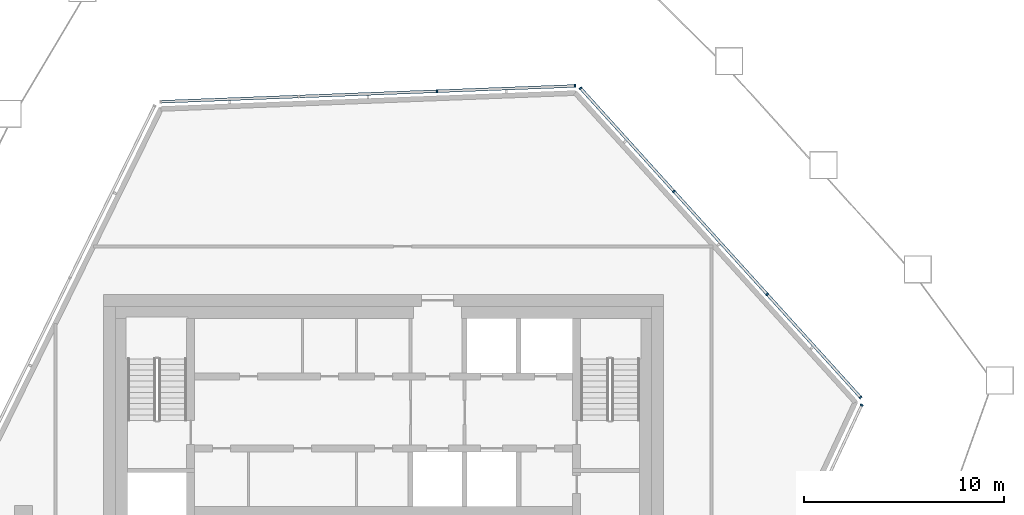
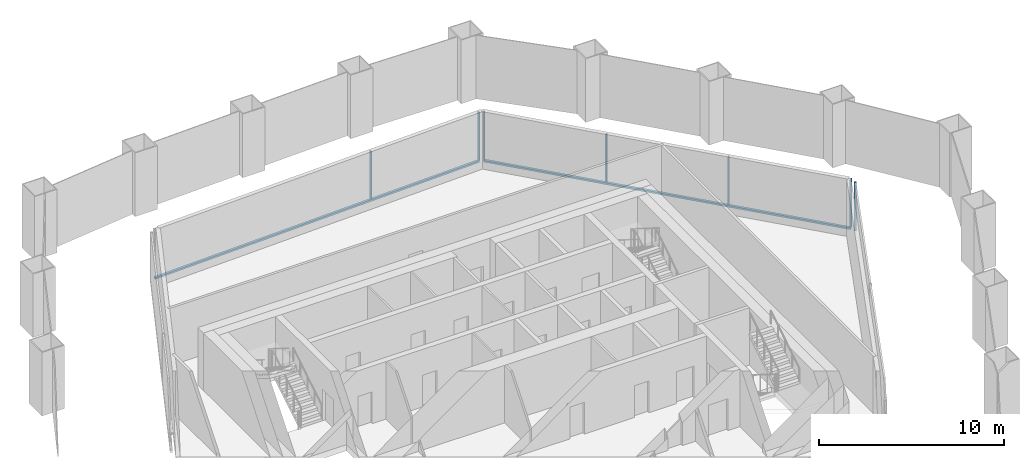
# One storey, part 6 of 18: 9 members, 3 elements without a shape of their own.
"""IFC4 building model written with IfcOpenShell, lengths in metres."""

from ifc_helpers import new_model, si_unit, direction, frame, origin, origin_2d, place, context, subcontext, project, spatial, rectangle, extrude, material, layer, layer_set, material_profile, profile_set, type_object, element, aggregate, save


model = new_model("IFC4")

# Units and contexts
model_context = context("Model", 3, precision=1e-05, world=origin(), true_north=direction((0.0, 1.0)))
body_context = subcontext(model_context, "Body", "Model", "MODEL_VIEW")
ifc_project = project(units=[si_unit("LENGTHUNIT", "METRE"), si_unit("AREAUNIT", "SQUARE_METRE"), si_unit("VOLUMEUNIT", "CUBIC_METRE"), si_unit("PLANEANGLEUNIT", "RADIAN"), si_unit("MASSUNIT", "GRAM", prefix="KILO")], contexts=[model_context])

# Site, building, storey
site_placement = place(None, origin())
site = spatial("IfcSite", under=ifc_project, at=site_placement, CompositionType="ELEMENT")
building_placement = place(site_placement, origin())
building = spatial("IfcBuilding", under=site, at=building_placement, Name="Dongbaek Canopy Tower", CompositionType="ELEMENT")
storey_placement = place(building_placement, frame((0.0, 0.0, 367.39990234375)))
storey = spatial("IfcBuildingStorey", under=building, at=storey_placement, Name="L79", CompositionType="ELEMENT", Elevation=367.39990234375)

# Curtain wall, member
ifc_material_1 = material(Name="Aluminium 6063-T6 pale anodised", Category="aluminium")
ifc_layer = layer(ifc_material_1, 0.14990234375)
ifc_layer_set = layer_set([ifc_layer], Name="CW-7 louvre curtain wall")
curtain_wall_type = type_object("IfcCurtainWallType", Name="CW-7 louvre curtain wall", PredefinedType="NOTDEFINED", material=ifc_layer_set)
curtain_wall_1_placement = place(storey_placement, origin())
curtain_wall_1 = element("IfcCurtainWall", 1, at=curtain_wall_1_placement, inside=storey, type_object=curtain_wall_type, Name="CW-7 louvre wall L79 F1", PredefinedType="NOTDEFINED")
ifc_material_2 = material(Name="Aluminium 6063-T6 pale anodised", Category="aluminium")
ifc_material_profile_1 = material_profile(ifc_material_2, rectangle(XDim=0.14990234375, YDim=0.080078125, at=origin_2d()), Name="CW-7 mullion 80 x 150")
ifc_profile_set_1 = profile_set([ifc_material_profile_1], Name="Aluminium 6063-T6 pale anodised")
member_type_1 = type_object("IfcMemberType", Name="CW-7 mullion 80 x 150", PredefinedType="MULLION", material=ifc_profile_set_1)
member_1_placement = place(storey_placement, frame((23.899658203125, 5.46533203125, 0.300048828125), z_axis=(0.0, 0.0, 1.0), x_axis=(0.905604659029, -0.42412286138, 0.0)))
member_1 = element("IfcMember", 2, at=member_1_placement, type_object=member_type_1, Name="CW-7 mullion L79 F1.1.4", PredefinedType="MULLION", context=body_context, shape_type="SweptSolid", body=[
    extrude(rectangle(XDim=0.14990234375, YDim=0.080078125, at=origin_2d()), origin(), (0.0, 0.0, 1.0), 3.199951171875),
])
aggregate(curtain_wall_1, [member_1])

# Curtain wall, members
curtain_wall_2_placement = place(storey_placement, origin())
curtain_wall_2 = element("IfcCurtainWall", 3, at=curtain_wall_2_placement, inside=storey, type_object=curtain_wall_type, Name="CW-7 louvre wall L79 F2", PredefinedType="NOTDEFINED")
member_2_placement = place(storey_placement, frame((23.84228515625, 5.848876953125, 0.300048828125), z_axis=(0.0, 0.0, 1.0), x_axis=(0.741222228581, 0.671259717142, 0.0)))
member_2 = element("IfcMember", 4, at=member_2_placement, type_object=member_type_1, Name="CW-7 mullion L79 F2.1.1", PredefinedType="MULLION", context=body_context, shape_type="SweptSolid", body=[
    extrude(rectangle(XDim=0.14990234375, YDim=0.080078125, at=origin_2d()), origin(), (0.0, 0.0, 1.0), 3.199951171875),
])
member_3_placement = place(storey_placement, frame((19.17578125, 11.001708984375, 0.300048828125), z_axis=(0.0, 0.0, 1.0), x_axis=(0.741222228581, 0.671259717142, 0.0)))
member_3 = element("IfcMember", 5, at=member_3_placement, type_object=member_type_1, Name="CW-7 mullion L79 F2.1.2", PredefinedType="MULLION", context=body_context, shape_type="SweptSolid", body=[
    extrude(rectangle(XDim=0.14990234375, YDim=0.080078125, at=origin_2d()), origin(), (0.0, 0.0, 1.0), 3.199951171875),
])
member_4_placement = place(storey_placement, frame((14.509033203125, 16.154541015625, 0.300048828125), z_axis=(0.0, 0.0, 1.0), x_axis=(0.741222228581, 0.671259717142, 0.0)))
member_4 = element("IfcMember", 6, at=member_4_placement, type_object=member_type_1, Name="CW-7 mullion L79 F2.1.3", PredefinedType="MULLION", context=body_context, shape_type="SweptSolid", body=[
    extrude(rectangle(XDim=0.14990234375, YDim=0.080078125, at=origin_2d()), origin(), (0.0, 0.0, 1.0), 3.199951171875),
])
member_5_placement = place(storey_placement, frame((9.842529296875, 21.307373046875, 0.300048828125), z_axis=(0.0, 0.0, 1.0), x_axis=(0.741222228581, 0.671259717142, 0.0)))
member_5 = element("IfcMember", 7, at=member_5_placement, type_object=member_type_1, Name="CW-7 mullion L79 F2.1.4", PredefinedType="MULLION", context=body_context, shape_type="SweptSolid", body=[
    extrude(rectangle(XDim=0.14990234375, YDim=0.080078125, at=origin_2d()), origin(), (0.0, 0.0, 1.0), 3.199951171875),
])

curtain_wall_3_placement = place(storey_placement, origin())
curtain_wall_3 = element("IfcCurtainWall", 8, at=curtain_wall_3_placement, inside=storey, type_object=curtain_wall_type, Name="CW-7 louvre wall L79 F3", PredefinedType="NOTDEFINED")
member_6_placement = place(storey_placement, frame((9.56982421875, 21.42236328125, 0.300048828125), z_axis=(0.0, 0.0, 1.0), x_axis=(-0.038231979514, 0.999268890611, 0.0)))
member_6 = element("IfcMember", 9, at=member_6_placement, type_object=member_type_1, Name="CW-7 mullion L79 F3.1.1", PredefinedType="MULLION", context=body_context, shape_type="SweptSolid", body=[
    extrude(rectangle(XDim=0.14990234375, YDim=0.080078125, at=origin_2d()), origin(), (0.0, 0.0, 1.0), 3.199951171875),
])
member_7_placement = place(storey_placement, frame((2.66259765625, 21.157958984375, 0.300048828125), z_axis=(0.0, 0.0, 1.0), x_axis=(-0.038231979514, 0.999268890611, 0.0)))
member_7 = element("IfcMember", 10, at=member_7_placement, type_object=member_type_1, Name="CW-7 mullion L79 F3.1.2", PredefinedType="MULLION", context=body_context, shape_type="SweptSolid", body=[
    extrude(rectangle(XDim=0.14990234375, YDim=0.080078125, at=origin_2d()), origin(), (0.0, 0.0, 1.0), 3.199951171875),
])

# Member
ifc_material_3 = material(Name="Aluminium 6063-T6 pale anodised", Category="aluminium")
ifc_material_profile_2 = material_profile(ifc_material_3, rectangle(XDim=0.14990234375, YDim=0.1201171875, at=origin_2d()), Name="CW-7 transom 120 x 150")
ifc_profile_set_2 = profile_set([ifc_material_profile_2], Name="Aluminium 6063-T6 pale anodised")
member_type_2 = type_object("IfcMemberType", Name="CW-7 transom 120 x 150", PredefinedType="USERDEFINED", material=ifc_profile_set_2)
member_8_placement = place(storey_placement, frame((23.84228515625, 5.848876953125, 0.239990234375), z_axis=(-0.671269118368, 0.741213714609, 0.0), x_axis=(-0.741213714609, -0.671269118368, 0.0)))
member_8 = element("IfcMember", 11, at=member_8_placement, type_object=member_type_2, Name="CW-7 transom L79 F2.1", ObjectType="TRANSOM", PredefinedType="USERDEFINED", context=body_context, shape_type="SweptSolid", body=[
    extrude(rectangle(XDim=0.14990234375, YDim=0.1201171875, at=origin_2d()), origin(), (0.0, 0.0, 1.0), 20.855712890625),
])

aggregate(curtain_wall_2, [member_8, member_2, member_3, member_4, member_5])

member_9_placement = place(storey_placement, frame((9.56982421875, 21.42236328125, 0.239990234375), z_axis=(-0.999268598968, -0.038239601412, 0.0), x_axis=(0.038239601412, -0.999268598968, 0.0)))
member_9 = element("IfcMember", 12, at=member_9_placement, type_object=member_type_2, Name="CW-7 transom L79 F3.1", ObjectType="TRANSOM", PredefinedType="USERDEFINED", context=body_context, shape_type="SweptSolid", body=[
    extrude(rectangle(XDim=0.14990234375, YDim=0.1201171875, at=origin_2d()), origin(), (0.0, 0.0, 1.0), 20.73681640625),
])

aggregate(curtain_wall_3, [member_9, member_6, member_7])

save(model, "model.ifc")
